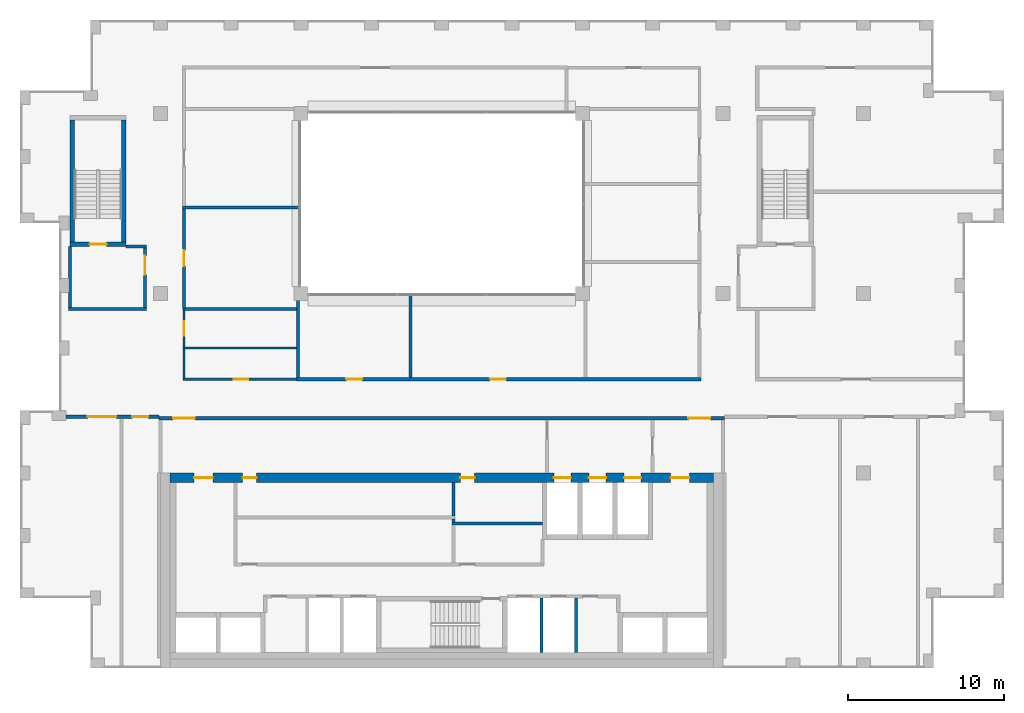
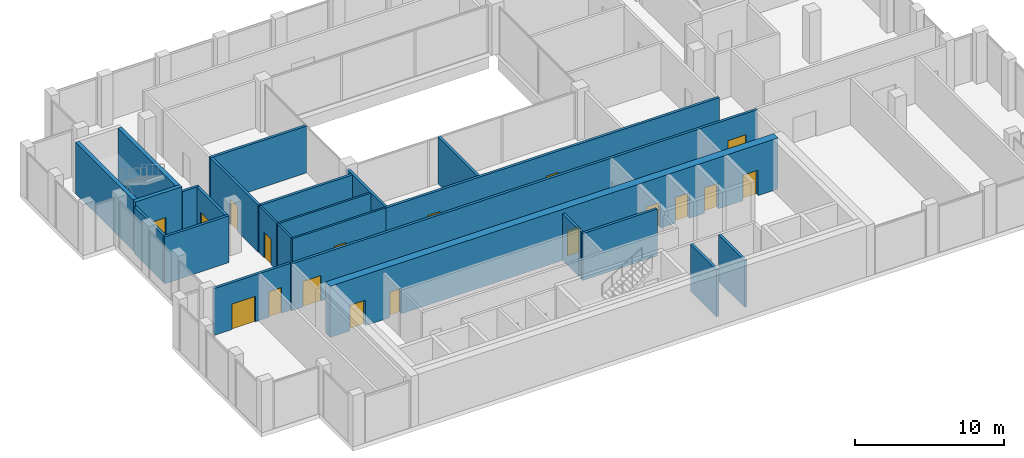
# One storey, part 11 of 15: 25 walls, 18 doors, 18 openings.
"""IFC4 building model written with IfcOpenShell, lengths in metres."""

from ifc_helpers import new_model, si_unit, direction, frame, frame_2d, origin, place, context, subcontext, project, spatial, rectangle, extrude, material, layer, layer_set, type_object, element, fill, save


model = new_model("IFC4")

# Units and contexts
model_context = context("Model", 3, precision=1e-05, world=origin(), true_north=direction((0.0, 1.0)))
body_context = subcontext(model_context, "Body", "Model", "MODEL_VIEW")
ifc_project = project(units=[si_unit("LENGTHUNIT", "METRE"), si_unit("AREAUNIT", "SQUARE_METRE"), si_unit("VOLUMEUNIT", "CUBIC_METRE"), si_unit("PLANEANGLEUNIT", "RADIAN"), si_unit("MASSUNIT", "GRAM", prefix="KILO")], contexts=[model_context])

# Site, building, storey
site_placement = place(None, origin())
site = spatial("IfcSite", under=ifc_project, at=site_placement, CompositionType="ELEMENT")
building_placement = place(site_placement, origin())
building = spatial("IfcBuilding", under=site, at=building_placement, Name="Brigalow Station Residences", CompositionType="ELEMENT")
storey_placement = place(building_placement, frame((0.0, 0.0, 235.800048828125)))
storey = spatial("IfcBuildingStorey", under=building, at=storey_placement, Name="L68", CompositionType="ELEMENT", Elevation=235.800048828125)

# Wall, opening, door
ifc_material_1 = material(Name="Concrete C50", Category="concrete")
ifc_layer_1 = layer(ifc_material_1, 0.300048828125)
ifc_layer_set_1 = layer_set([ifc_layer_1], Name="CORE SHEAR WALL 300 C50")
wall_type_1 = type_object("IfcWallType", Name="CORE SHEAR WALL 300 C50", PredefinedType="SHEAR", material=ifc_layer_set_1)
wall_1_placement = place(storey_placement, frame((12.199951171875, 27.14990234375, 0.0), z_axis=(0.0, 0.0, 1.0), x_axis=(1.0, 0.0, 0.0)))
wall_1 = element("IfcWall", 1, at=wall_1_placement, inside=storey, type_object=wall_type_1, Name="CORE WALL ST-S1-S L68", PredefinedType="SHEAR", context=body_context, shape_type="SweptSolid", body=[
    extrude(rectangle(XDim=3.60009765625, YDim=0.300048828125, at=frame_2d((1.800048828125, 0.0))), origin(), (0.0, 0.0, 1.0), 4.199951171875),
])
opening_1_placement = place(wall_1_placement, frame((1.25, 0.0, 0.0)))
opening_1 = element("IfcOpeningElement", 2, at=opening_1_placement, cuts=wall_1, Name="Opening D-5015", PredefinedType="OPENING", context=body_context, shape_type="SweptSolid", body=[
    extrude(rectangle(XDim=1.10009765625, YDim=2.10009765625, at=frame_2d((0.550048828125, 1.050048828125))), frame((0.0, 0.16015625, 0.0), z_axis=(0.0, -1.0, 0.0), x_axis=(1.0, 0.0, 0.0)), (0.0, 0.0, 1.0), 0.320068359375),
])
ifc_material_2 = material(Name="Steel fire door leaf in steel frame", Category="steel")
door_type_1 = type_object("IfcDoorType", Name="STAIR DOOR 1100 x 2100 FD60S", OperationType="SINGLE_SWING_LEFT", PredefinedType="DOOR", material=ifc_material_2)
door_1_placement = place(opening_1_placement, origin())
door_1 = element("IfcDoor", 3, at=door_1_placement, inside=storey, type_object=door_type_1, Name="D-5015", OperationType="SINGLE_SWING_LEFT", OverallHeight=2.10009765625, OverallWidth=1.10009765625, PredefinedType="DOOR", context=body_context, shape_type="SweptSolid", body=[
    extrude(rectangle(XDim=1.10009765625, YDim=2.10009765625, at=frame_2d((0.550048828125, 1.050048828125))), frame((0.0, 0.02490234375, 0.0), z_axis=(0.0, -1.0, 0.0), x_axis=(1.0, 0.0, 0.0)), (0.0, 0.0, 1.0), 0.050048828125),
])
fill(opening_1, door_1)

# Walls
for number, where, z_axis, x_axis, name in (
    (4, (12.35009765625, 27.300048828125, 0.0), (0.0, 0.0, 1.0), (0.0, 1.0, 0.0), "CORE WALL ST-S1-W L68"),
    (5, (15.64990234375, 27.300048828125, 0.0), (0.0, 0.0, 1.0), (0.0, 1.0, 0.0), "CORE WALL ST-S1-E L68"),
):
    element("IfcWall", number, at=place(storey_placement, frame(where, z_axis=z_axis, x_axis=x_axis)), inside=storey, type_object=wall_type_1, Name=name, PredefinedType="SHEAR", context=body_context, shape_type="SweptSolid", body=[
        extrude(rectangle(XDim=7.800048828125, YDim=0.300048828125, at=frame_2d((3.89990234375, 0.0))), origin(), (0.0, 0.0, 1.0), 4.199951171875),
    ])

# Wall, openings, doors
ifc_material_3 = material(Name="Concrete C50", Category="concrete")
ifc_layer_2 = layer(ifc_material_3, 0.60009765625)
ifc_layer_set_2 = layer_set([ifc_layer_2], Name="CORE SHEAR WALL 600 C50")
wall_type_2 = type_object("IfcWallType", Name="CORE SHEAR WALL 600 C50", PredefinedType="SHEAR", material=ifc_layer_set_2)
wall_2_placement = place(storey_placement, frame((18.60009765625, 12.199951171875, 0.0), z_axis=(0.0, 0.0, 1.0), x_axis=(1.0, 0.0, 0.0)))
wall_2 = element("IfcWall", 6, at=wall_2_placement, inside=storey, type_object=wall_type_2, Name="CORE WALL OUT-N L68", PredefinedType="SHEAR", context=body_context, shape_type="SweptSolid", body=[
    extrude(rectangle(XDim=34.7998046875, YDim=0.60009765625, at=frame_2d((17.39990234375, 0.0))), origin(), (0.0, 0.0, 1.0), 4.199951171875),
])
opening_2_placement = place(wall_2_placement, frame((24.574951171875, 0.0, 0.0)))
opening_2 = element("IfcOpeningElement", 7, at=opening_2_placement, cuts=wall_2, Name="Opening LD-LF1", PredefinedType="OPENING", context=body_context, shape_type="SweptSolid", body=[
    extrude(rectangle(XDim=1.10009765625, YDim=2.10009765625, at=frame_2d((0.550048828125, 1.050048828125))), frame((0.0, 0.31005859375, 0.0), z_axis=(0.0, -1.0, 0.0), x_axis=(1.0, 0.0, 0.0)), (0.0, 0.0, 1.0), 0.6201171875),
])
opening_3_placement = place(wall_2_placement, frame((26.824951171875, 0.0, 0.0)))
opening_3 = element("IfcOpeningElement", 8, at=opening_3_placement, cuts=wall_2, Name="Opening LD-LF2", PredefinedType="OPENING", context=body_context, shape_type="SweptSolid", body=[
    extrude(rectangle(XDim=1.10009765625, YDim=2.10009765625, at=frame_2d((0.550048828125, 1.050048828125))), frame((0.0, 0.31005859375, 0.0), z_axis=(0.0, -1.0, 0.0), x_axis=(1.0, 0.0, 0.0)), (0.0, 0.0, 1.0), 0.6201171875),
])
opening_4_placement = place(wall_2_placement, frame((29.074951171875, 0.0, 0.0)))
opening_4 = element("IfcOpeningElement", 9, at=opening_4_placement, cuts=wall_2, Name="Opening LD-LG1", PredefinedType="OPENING", context=body_context, shape_type="SweptSolid", body=[
    extrude(rectangle(XDim=1.10009765625, YDim=2.10009765625, at=frame_2d((0.550048828125, 1.050048828125))), frame((0.0, 0.31005859375, 0.0), z_axis=(0.0, -1.0, 0.0), x_axis=(1.0, 0.0, 0.0)), (0.0, 0.0, 1.0), 0.6201171875),
])
opening_5_placement = place(wall_2_placement, frame((18.60009765625, 0.0, 0.0)))
opening_5 = element("IfcOpeningElement", 10, at=opening_5_placement, cuts=wall_2, Name="Opening D-5126", PredefinedType="OPENING", context=body_context, shape_type="SweptSolid", body=[
    extrude(rectangle(XDim=0.89990234375, YDim=2.10009765625, at=frame_2d((0.449951171875, 1.050048828125))), frame((0.0, 0.31005859375, 0.0), z_axis=(0.0, -1.0, 0.0), x_axis=(1.0, 0.0, 0.0)), (0.0, 0.0, 1.0), 0.6201171875),
])
opening_6_placement = place(wall_2_placement, frame((4.64990234375, 0.0, 0.0)))
opening_6 = element("IfcOpeningElement", 11, at=opening_6_placement, cuts=wall_2, Name="Opening D-5127", PredefinedType="OPENING", context=body_context, shape_type="SweptSolid", body=[
    extrude(rectangle(XDim=0.89990234375, YDim=2.10009765625, at=frame_2d((0.449951171875, 1.050048828125))), frame((0.0, 0.31005859375, 0.0), z_axis=(0.0, -1.0, 0.0), x_axis=(1.0, 0.0, 0.0)), (0.0, 0.0, 1.0), 0.6201171875),
])
opening_7_placement = place(wall_2_placement, frame((1.550048828125, 0.0, 0.0)))
opening_7 = element("IfcOpeningElement", 12, at=opening_7_placement, cuts=wall_2, Name="Opening D-5011", PredefinedType="OPENING", context=body_context, shape_type="SweptSolid", body=[
    extrude(rectangle(XDim=1.199951171875, YDim=2.10009765625, at=frame_2d((0.60009765625, 1.050048828125))), frame((0.0, 0.31005859375, 0.0), z_axis=(0.0, -1.0, 0.0), x_axis=(1.0, 0.0, 0.0)), (0.0, 0.0, 1.0), 0.6201171875),
])
opening_8_placement = place(wall_2_placement, frame((32.050048828125, 0.0, 0.0)))
opening_8 = element("IfcOpeningElement", 13, at=opening_8_placement, cuts=wall_2, Name="Opening D-5012", PredefinedType="OPENING", context=body_context, shape_type="SweptSolid", body=[
    extrude(rectangle(XDim=1.199951171875, YDim=2.10009765625, at=frame_2d((0.60009765625, 1.050048828125))), frame((0.0, 0.31005859375, 0.0), z_axis=(0.0, -1.0, 0.0), x_axis=(1.0, 0.0, 0.0)), (0.0, 0.0, 1.0), 0.6201171875),
])
ifc_material_4 = material(Name="Steel fire door leaf in steel frame", Category="steel")
door_type_2 = type_object("IfcDoorType", Name="CORE CORRIDOR DOOR 1200 x 2100 FD60S", OperationType="SINGLE_SWING_LEFT", PredefinedType="DOOR", material=ifc_material_4)
door_2_placement = place(opening_7_placement, frame((1.199951171875, 0.0, 0.0), z_axis=(0.0, 0.0, 1.0), x_axis=(-1.0, 0.0, 0.0)))
door_2 = element("IfcDoor", 14, at=door_2_placement, inside=storey, type_object=door_type_2, Name="D-5011", OperationType="SINGLE_SWING_LEFT", OverallHeight=2.10009765625, OverallWidth=1.199951171875, PredefinedType="DOOR", context=body_context, shape_type="SweptSolid", body=[
    extrude(rectangle(XDim=1.199951171875, YDim=2.10009765625, at=frame_2d((0.60009765625, 1.050048828125))), frame((0.0, 0.02490234375, 0.0), z_axis=(0.0, -1.0, 0.0), x_axis=(1.0, 0.0, 0.0)), (0.0, 0.0, 1.0), 0.050048828125),
])
fill(opening_7, door_2)
door_3_placement = place(opening_8_placement, frame((1.199951171875, 0.0, 0.0), z_axis=(0.0, 0.0, 1.0), x_axis=(-1.0, 0.0, 0.0)))
door_3 = element("IfcDoor", 15, at=door_3_placement, inside=storey, type_object=door_type_2, Name="D-5012", OperationType="SINGLE_SWING_RIGHT", OverallHeight=2.10009765625, OverallWidth=1.199951171875, PredefinedType="DOOR", context=body_context, shape_type="SweptSolid", body=[
    extrude(rectangle(XDim=1.199951171875, YDim=2.10009765625, at=frame_2d((0.60009765625, 1.050048828125))), frame((0.0, 0.02490234375, 0.0), z_axis=(0.0, -1.0, 0.0), x_axis=(1.0, 0.0, 0.0)), (0.0, 0.0, 1.0), 0.050048828125),
])
fill(opening_8, door_3)
ifc_material_5 = material(Name="Stainless steel sliding door leaves", Category="steel")
door_type_3 = type_object("IfcDoorType", Name="LIFT LANDING DOOR 1100 x 2100", OperationType="DOUBLE_DOOR_SLIDING", PredefinedType="DOOR", material=ifc_material_5)
door_4_placement = place(opening_2_placement, origin())
door_4 = element("IfcDoor", 16, at=door_4_placement, inside=storey, type_object=door_type_3, Name="LANDING DOOR LF1", OperationType="DOUBLE_DOOR_SLIDING", OverallHeight=2.10009765625, OverallWidth=1.10009765625, PredefinedType="DOOR", context=body_context, shape_type="SweptSolid", body=[
    extrude(rectangle(XDim=1.10009765625, YDim=2.10009765625, at=frame_2d((0.550048828125, 1.050048828125))), frame((0.0, 0.02490234375, 0.0), z_axis=(0.0, -1.0, 0.0), x_axis=(1.0, 0.0, 0.0)), (0.0, 0.0, 1.0), 0.050048828125),
])
fill(opening_2, door_4)
door_5_placement = place(opening_3_placement, origin())
door_5 = element("IfcDoor", 17, at=door_5_placement, inside=storey, type_object=door_type_3, Name="LANDING DOOR LF2", OperationType="DOUBLE_DOOR_SLIDING", OverallHeight=2.10009765625, OverallWidth=1.10009765625, PredefinedType="DOOR", context=body_context, shape_type="SweptSolid", body=[
    extrude(rectangle(XDim=1.10009765625, YDim=2.10009765625, at=frame_2d((0.550048828125, 1.050048828125))), frame((0.0, 0.02490234375, 0.0), z_axis=(0.0, -1.0, 0.0), x_axis=(1.0, 0.0, 0.0)), (0.0, 0.0, 1.0), 0.050048828125),
])
fill(opening_3, door_5)
door_6_placement = place(opening_4_placement, origin())
door_6 = element("IfcDoor", 18, at=door_6_placement, inside=storey, type_object=door_type_3, Name="LANDING DOOR LG1", OperationType="DOUBLE_DOOR_SLIDING", OverallHeight=2.10009765625, OverallWidth=1.10009765625, PredefinedType="DOOR", context=body_context, shape_type="SweptSolid", body=[
    extrude(rectangle(XDim=1.10009765625, YDim=2.10009765625, at=frame_2d((0.550048828125, 1.050048828125))), frame((0.0, 0.02490234375, 0.0), z_axis=(0.0, -1.0, 0.0), x_axis=(1.0, 0.0, 0.0)), (0.0, 0.0, 1.0), 0.050048828125),
])
fill(opening_4, door_6)
ifc_material_6 = material(Name="Steel door leaf in steel frame", Category="steel")
door_type_4 = type_object("IfcDoorType", Name="SERVICE ROOM DOOR 900 x 2100 FD60", OperationType="SINGLE_SWING_LEFT", PredefinedType="DOOR", material=ifc_material_6)
door_7_placement = place(opening_5_placement, frame((0.89990234375, 0.0, 0.0), z_axis=(0.0, 0.0, 1.0), x_axis=(-1.0, 0.0, 0.0)))
door_7 = element("IfcDoor", 19, at=door_7_placement, inside=storey, type_object=door_type_4, Name="D-5126", OperationType="SINGLE_SWING_RIGHT", OverallHeight=2.10009765625, OverallWidth=0.89990234375, PredefinedType="DOOR", context=body_context, shape_type="SweptSolid", body=[
    extrude(rectangle(XDim=0.89990234375, YDim=2.10009765625, at=frame_2d((0.449951171875, 1.050048828125))), frame((0.0, 0.02490234375, 0.0), z_axis=(0.0, -1.0, 0.0), x_axis=(1.0, 0.0, 0.0)), (0.0, 0.0, 1.0), 0.050048828125),
])
fill(opening_5, door_7)
door_8_placement = place(opening_6_placement, frame((0.89990234375, 0.0, 0.0), z_axis=(0.0, 0.0, 1.0), x_axis=(-1.0, 0.0, 0.0)))
door_8 = element("IfcDoor", 20, at=door_8_placement, inside=storey, type_object=door_type_4, Name="D-5127", OperationType="SINGLE_SWING_RIGHT", OverallHeight=2.10009765625, OverallWidth=0.89990234375, PredefinedType="DOOR", context=body_context, shape_type="SweptSolid", body=[
    extrude(rectangle(XDim=0.89990234375, YDim=2.10009765625, at=frame_2d((0.449951171875, 1.050048828125))), frame((0.0, 0.02490234375, 0.0), z_axis=(0.0, -1.0, 0.0), x_axis=(1.0, 0.0, 0.0)), (0.0, 0.0, 1.0), 0.050048828125),
])
fill(opening_6, door_8)

# Walls
ifc_material_7 = material(Name="Concrete blockwork", Category="masonry")
ifc_layer_3 = layer(ifc_material_7, 0.199951171875)
ifc_layer_set_3 = layer_set([ifc_layer_3], Name="FIRE RATED CORE PARTITION 200")
wall_type_3 = type_object("IfcWallType", Name="FIRE RATED CORE PARTITION 200", PredefinedType="PARTITIONING", material=ifc_layer_set_3)
wall_3_placement = place(storey_placement, frame((36.64990234375, 9.27490234375, 0.0), z_axis=(0.0, 0.0, 1.0), x_axis=(1.0, 0.0, 0.0)))
element("IfcWall", 21, at=wall_3_placement, inside=storey, type_object=wall_type_3, Name="PW-5246", PredefinedType="PARTITIONING", context=body_context, shape_type="SweptSolid", body=[
    extrude(rectangle(XDim=5.800048828125, YDim=0.199951171875, at=frame_2d((2.89990234375, 0.0))), origin(), (0.0, 0.0, 1.0), 3.849853515625),
])
wall_4_placement = place(storey_placement, frame((12.10009765625, 23.0, 0.0), z_axis=(0.0, 0.0, 1.0), x_axis=(1.0, 0.0, 0.0)))
element("IfcWall", 22, at=wall_4_placement, inside=storey, type_object=wall_type_3, Name="PW-5023", PredefinedType="PARTITIONING", context=body_context, shape_type="SweptSolid", body=[
    extrude(rectangle(XDim=5.0, YDim=0.199951171875, at=frame_2d((2.5, 0.0))), origin(), (0.0, 0.0, 1.0), 3.849853515625),
])
wall_5_placement = place(storey_placement, frame((15.800048828125, 27.0, 0.0), z_axis=(0.0, 0.0, 1.0), x_axis=(1.0, 0.0, 0.0)))
element("IfcWall", 23, at=wall_5_placement, inside=storey, type_object=wall_type_3, Name="PW-5025", PredefinedType="PARTITIONING", context=body_context, shape_type="SweptSolid", body=[
    extrude(rectangle(XDim=1.300048828125, YDim=0.199951171875, at=frame_2d((0.64990234375, 0.0))), origin(), (0.0, 0.0, 1.0), 3.849853515625),
])
for number, where, z_axis, x_axis, name in (
    (24, (42.39990234375, 1.0, 0.0), (0.0, 0.0, 1.0), (0.0, 1.0, 0.0), "PW-5007"),
    (25, (44.60009765625, 1.0, 0.0), (0.0, 0.0, 1.0), (0.0, 1.0, 0.0), "PW-5008"),
):
    element("IfcWall", number, at=place(storey_placement, frame(where, z_axis=z_axis, x_axis=x_axis)), inside=storey, type_object=wall_type_3, Name=name, PredefinedType="PARTITIONING", context=body_context, shape_type="SweptSolid", body=[
        extrude(rectangle(XDim=3.5, YDim=0.199951171875, at=frame_2d((1.75, 0.0))), origin(), (0.0, 0.0, 1.0), 3.849853515625),
    ])
wall_6_placement = place(storey_placement, frame((36.75, 9.375, 0.0), z_axis=(0.0, 0.0, 1.0), x_axis=(0.0, 1.0, 0.0)))
element("IfcWall", 26, at=wall_6_placement, inside=storey, type_object=wall_type_3, Name="PW-5254", PredefinedType="PARTITIONING", context=body_context, shape_type="SweptSolid", body=[
    extrude(rectangle(XDim=0.175048828125, YDim=0.199951171875, at=frame_2d((0.08740234375, 0.0))), origin(), (0.0, 0.0, 1.0), 3.849853515625),
])
wall_7_placement = place(storey_placement, frame((36.75, 9.75, 0.0), z_axis=(0.0, 0.0, 1.0), x_axis=(0.0, 1.0, 0.0)))
element("IfcWall", 27, at=wall_7_placement, inside=storey, type_object=wall_type_3, Name="PW-5256", PredefinedType="PARTITIONING", context=body_context, shape_type="SweptSolid", body=[
    extrude(rectangle(XDim=2.14990234375, YDim=0.199951171875, at=frame_2d((1.074951171875, 0.0))), origin(), (0.0, 0.0, 1.0), 3.849853515625),
])
wall_8_placement = place(storey_placement, frame((12.199951171875, 23.10009765625, 0.0), z_axis=(0.0, 0.0, 1.0), x_axis=(0.0, 1.0, 0.0)))
element("IfcWall", 28, at=wall_8_placement, inside=storey, type_object=wall_type_3, Name="PW-5034", PredefinedType="PARTITIONING", context=body_context, shape_type="SweptSolid", body=[
    extrude(rectangle(XDim=3.89990234375, YDim=0.199951171875, at=frame_2d((1.949951171875, 0.0))), origin(), (0.0, 0.0, 1.0), 3.849853515625),
])

# Wall, opening, door
wall_9_placement = place(storey_placement, frame((17.0, 23.10009765625, 0.0), z_axis=(0.0, 0.0, 1.0), x_axis=(0.0, 1.0, 0.0)))
wall_9 = element("IfcWall", 29, at=wall_9_placement, inside=storey, type_object=wall_type_3, Name="PW-5035", PredefinedType="PARTITIONING", context=body_context, shape_type="SweptSolid", body=[
    extrude(rectangle(XDim=3.7998046875, YDim=0.199951171875, at=frame_2d((1.89990234375, 0.0))), origin(), (0.0, 0.0, 1.0), 3.849853515625),
])
opening_9_placement = place(wall_9_placement, frame((2.10009765625, 0.0, 0.0)))
opening_9 = element("IfcOpeningElement", 30, at=opening_9_placement, cuts=wall_9, Name="Opening D-5016", PredefinedType="OPENING", context=body_context, shape_type="SweptSolid", body=[
    extrude(rectangle(XDim=1.199951171875, YDim=2.10009765625, at=frame_2d((0.60009765625, 1.050048828125))), frame((0.0, 0.10986328125, 0.0), z_axis=(0.0, -1.0, 0.0), x_axis=(1.0, 0.0, 0.0)), (0.0, 0.0, 1.0), 0.219970703125),
])
ifc_material_8 = material(Name="Steel fire door leaf in steel frame", Category="steel")
door_type_5 = type_object("IfcDoorType", Name="STAIR LOBBY DOOR 1200 x 2100 FD60S", OperationType="SINGLE_SWING_LEFT", PredefinedType="DOOR", material=ifc_material_8)
door_9_placement = place(opening_9_placement, frame((1.199951171875, 0.0, 0.0), z_axis=(0.0, 0.0, 1.0), x_axis=(-1.0, 0.0, 0.0)))
door_9 = element("IfcDoor", 31, at=door_9_placement, inside=storey, type_object=door_type_5, Name="D-5016", OperationType="SINGLE_SWING_RIGHT", OverallHeight=2.10009765625, OverallWidth=1.199951171875, PredefinedType="DOOR", context=body_context, shape_type="SweptSolid", body=[
    extrude(rectangle(XDim=1.199951171875, YDim=2.10009765625, at=frame_2d((0.60009765625, 1.050048828125))), frame((0.0, 0.02490234375, 0.0), z_axis=(0.0, -1.0, 0.0), x_axis=(1.0, 0.0, 0.0)), (0.0, 0.0, 1.0), 0.050048828125),
])
fill(opening_9, door_9)

# Wall, openings, doors
wall_10_placement = place(storey_placement, frame((17.89990234375, 16.0, 0.0), z_axis=(0.0, 0.0, 1.0), x_axis=(1.0, 0.0, 0.0)))
wall_10 = element("IfcWall", 32, at=wall_10_placement, inside=storey, type_object=wall_type_3, Name="PW-5038", PredefinedType="PARTITIONING", context=body_context, shape_type="SweptSolid", body=[
    extrude(rectangle(XDim=36.2001953125, YDim=0.199951171875, at=frame_2d((18.10009765625, 0.0))), origin(), (0.0, 0.0, 1.0), 3.849853515625),
])
opening_10_placement = place(wall_10_placement, frame((0.89990234375, 0.0, 0.0)))
opening_10 = element("IfcOpeningElement", 33, at=opening_10_placement, cuts=wall_10, Name="Opening D-5029", PredefinedType="OPENING", context=body_context, shape_type="SweptSolid", body=[
    extrude(rectangle(XDim=1.39990234375, YDim=2.10009765625, at=frame_2d((0.699951171875, 1.050048828125))), frame((0.0, 0.10986328125, 0.0), z_axis=(0.0, -1.0, 0.0), x_axis=(1.0, 0.0, 0.0)), (0.0, 0.0, 1.0), 0.219970703125),
])
opening_11_placement = place(wall_10_placement, frame((33.89990234375, 0.0, 0.0)))
opening_11 = element("IfcOpeningElement", 34, at=opening_11_placement, cuts=wall_10, Name="Opening D-5030", PredefinedType="OPENING", context=body_context, shape_type="SweptSolid", body=[
    extrude(rectangle(XDim=1.39990234375, YDim=2.10009765625, at=frame_2d((0.699951171875, 1.050048828125))), frame((0.0, 0.10986328125, 0.0), z_axis=(0.0, -1.0, 0.0), x_axis=(1.0, 0.0, 0.0)), (0.0, 0.0, 1.0), 0.219970703125),
])
ifc_material_9 = material(Name="Steel fire door leaves in steel frame", Category="steel")
door_type_6 = type_object("IfcDoorType", Name="CORRIDOR FIRE DOOR 1400 x 2100 FD60S", OperationType="SINGLE_SWING_LEFT", PredefinedType="DOOR", material=ifc_material_9)
door_10_placement = place(opening_10_placement, frame((1.39990234375, 0.0, 0.0), z_axis=(0.0, 0.0, 1.0), x_axis=(-1.0, 0.0, 0.0)))
door_10 = element("IfcDoor", 35, at=door_10_placement, inside=storey, type_object=door_type_6, Name="D-5029", OperationType="SINGLE_SWING_RIGHT", OverallHeight=2.10009765625, OverallWidth=1.39990234375, PredefinedType="DOOR", context=body_context, shape_type="SweptSolid", body=[
    extrude(rectangle(XDim=1.39990234375, YDim=2.10009765625, at=frame_2d((0.699951171875, 1.050048828125))), frame((0.0, 0.02490234375, 0.0), z_axis=(0.0, -1.0, 0.0), x_axis=(1.0, 0.0, 0.0)), (0.0, 0.0, 1.0), 0.050048828125),
])
fill(opening_10, door_10)
door_11_placement = place(opening_11_placement, origin())
door_11 = element("IfcDoor", 36, at=door_11_placement, inside=storey, type_object=door_type_6, Name="D-5030", OperationType="SINGLE_SWING_RIGHT", OverallHeight=2.10009765625, OverallWidth=1.39990234375, PredefinedType="DOOR", context=body_context, shape_type="SweptSolid", body=[
    extrude(rectangle(XDim=1.39990234375, YDim=2.10009765625, at=frame_2d((0.699951171875, 1.050048828125))), frame((0.0, 0.02490234375, 0.0), z_axis=(0.0, -1.0, 0.0), x_axis=(1.0, 0.0, 0.0)), (0.0, 0.0, 1.0), 0.050048828125),
])
fill(opening_11, door_11)

wall_11_placement = place(storey_placement, frame((11.949951171875, 16.10009765625, 0.0), z_axis=(0.0, 0.0, 1.0), x_axis=(1.0, 0.0, 0.0)))
wall_11 = element("IfcWall", 37, at=wall_11_placement, inside=storey, type_object=wall_type_3, Name="PW-5299", PredefinedType="PARTITIONING", context=body_context, shape_type="SweptSolid", body=[
    extrude(rectangle(XDim=5.949951171875, YDim=0.199951171875, at=frame_2d((2.97509765625, 0.0))), origin(), (0.0, 0.0, 1.0), 3.849853515625),
])
opening_12_placement = place(wall_11_placement, frame((1.39990234375, 0.0, 0.0)))
opening_12 = element("IfcOpeningElement", 38, at=opening_12_placement, cuts=wall_11, Name="Opening D-5148", PredefinedType="OPENING", context=body_context, shape_type="SweptSolid", body=[
    extrude(rectangle(XDim=1.800048828125, YDim=2.10009765625, at=frame_2d((0.89990234375, 1.050048828125))), frame((0.0, 0.10986328125, 0.0), z_axis=(0.0, -1.0, 0.0), x_axis=(1.0, 0.0, 0.0)), (0.0, 0.0, 1.0), 0.219970703125),
])
opening_13_placement = place(wall_11_placement, frame((4.25, 0.0, 0.0)))
opening_13 = element("IfcOpeningElement", 39, at=opening_13_placement, cuts=wall_11, Name="Opening D-5149", PredefinedType="OPENING", context=body_context, shape_type="SweptSolid", body=[
    extrude(rectangle(XDim=1.0, YDim=2.10009765625, at=frame_2d((0.5, 1.050048828125))), frame((0.0, 0.10986328125, 0.0), z_axis=(0.0, -1.0, 0.0), x_axis=(1.0, 0.0, 0.0)), (0.0, 0.0, 1.0), 0.219970703125),
])
ifc_material_10 = material(Name="Steel fire door leaf in steel frame", Category="steel")
door_type_7 = type_object("IfcDoorType", Name="PLANT ROOM DOOR 1000 x 2100 FD60", OperationType="SINGLE_SWING_LEFT", PredefinedType="DOOR", material=ifc_material_10)
door_12_placement = place(opening_13_placement, frame((1.0, 0.0, 0.0), z_axis=(0.0, 0.0, 1.0), x_axis=(-1.0, 0.0, 0.0)))
door_12 = element("IfcDoor", 40, at=door_12_placement, inside=storey, type_object=door_type_7, Name="D-5149", OperationType="SINGLE_SWING_RIGHT", OverallHeight=2.10009765625, OverallWidth=1.0, PredefinedType="DOOR", context=body_context, shape_type="SweptSolid", body=[
    extrude(rectangle(XDim=1.0, YDim=2.10009765625, at=frame_2d((0.5, 1.050048828125))), frame((0.0, 0.02490234375, 0.0), z_axis=(0.0, -1.0, 0.0), x_axis=(1.0, 0.0, 0.0)), (0.0, 0.0, 1.0), 0.050048828125),
])
fill(opening_13, door_12)
ifc_material_11 = material(Name="Steel fire door leaf in steel frame", Category="steel")
door_type_8 = type_object("IfcDoorType", Name="PLANT ROOM DOOR 1800 x 2100 FD60", OperationType="DOUBLE_DOOR_SINGLE_SWING", PredefinedType="DOOR", material=ifc_material_11)
door_13_placement = place(opening_12_placement, frame((1.800048828125, 0.0, 0.0), z_axis=(0.0, 0.0, 1.0), x_axis=(-1.0, 0.0, 0.0)))
door_13 = element("IfcDoor", 41, at=door_13_placement, inside=storey, type_object=door_type_8, Name="D-5148", OperationType="DOUBLE_DOOR_SINGLE_SWING", OverallHeight=2.10009765625, OverallWidth=1.800048828125, PredefinedType="DOOR", context=body_context, shape_type="SweptSolid", body=[
    extrude(rectangle(XDim=1.800048828125, YDim=2.10009765625, at=frame_2d((0.89990234375, 1.050048828125))), frame((0.0, 0.02490234375, 0.0), z_axis=(0.0, -1.0, 0.0), x_axis=(1.0, 0.0, 0.0)), (0.0, 0.0, 1.0), 0.050048828125),
])
fill(opening_12, door_13)

wall_12_placement = place(storey_placement, frame((26.699951171875, 18.5, 0.0), z_axis=(0.0, 0.0, 1.0), x_axis=(1.0, 0.0, 0.0)))
wall_12 = element("IfcWall", 42, at=wall_12_placement, inside=storey, type_object=wall_type_3, Name="PW-5301", PredefinedType="PARTITIONING", context=body_context, shape_type="SweptSolid", body=[
    extrude(rectangle(XDim=25.900146484375, YDim=0.199951171875, at=frame_2d((12.9501953125, 0.0))), origin(), (0.0, 0.0, 1.0), 3.849853515625),
])
opening_14_placement = place(wall_12_placement, frame((3.199951171875, 0.0, 0.0)))
opening_14 = element("IfcOpeningElement", 43, at=opening_14_placement, cuts=wall_12, Name="Opening D-5141", PredefinedType="OPENING", context=body_context, shape_type="SweptSolid", body=[
    extrude(rectangle(XDim=1.0, YDim=2.10009765625, at=frame_2d((0.5, 1.050048828125))), frame((0.0, 0.10986328125, 0.0), z_axis=(0.0, -1.0, 0.0), x_axis=(1.0, 0.0, 0.0)), (0.0, 0.0, 1.0), 0.219970703125),
])
opening_15_placement = place(wall_12_placement, frame((12.39990234375, 0.0, 0.0)))
opening_15 = element("IfcOpeningElement", 44, at=opening_15_placement, cuts=wall_12, Name="Opening D-5160", PredefinedType="OPENING", context=body_context, shape_type="SweptSolid", body=[
    extrude(rectangle(XDim=1.0, YDim=2.10009765625, at=frame_2d((0.5, 1.050048828125))), frame((0.0, 0.10986328125, 0.0), z_axis=(0.0, -1.0, 0.0), x_axis=(1.0, 0.0, 0.0)), (0.0, 0.0, 1.0), 0.219970703125),
])
door_14_placement = place(opening_14_placement, origin())
door_14 = element("IfcDoor", 45, at=door_14_placement, inside=storey, type_object=door_type_7, Name="D-5141", OperationType="SINGLE_SWING_LEFT", OverallHeight=2.10009765625, OverallWidth=1.0, PredefinedType="DOOR", context=body_context, shape_type="SweptSolid", body=[
    extrude(rectangle(XDim=1.0, YDim=2.10009765625, at=frame_2d((0.5, 1.050048828125))), frame((0.0, 0.02490234375, 0.0), z_axis=(0.0, -1.0, 0.0), x_axis=(1.0, 0.0, 0.0)), (0.0, 0.0, 1.0), 0.050048828125),
])
fill(opening_14, door_14)
door_15_placement = place(opening_15_placement, origin())
door_15 = element("IfcDoor", 46, at=door_15_placement, inside=storey, type_object=door_type_7, Name="D-5160", OperationType="SINGLE_SWING_RIGHT", OverallHeight=2.10009765625, OverallWidth=1.0, PredefinedType="DOOR", context=body_context, shape_type="SweptSolid", body=[
    extrude(rectangle(XDim=1.0, YDim=2.10009765625, at=frame_2d((0.5, 1.050048828125))), frame((0.0, 0.02490234375, 0.0), z_axis=(0.0, -1.0, 0.0), x_axis=(1.0, 0.0, 0.0)), (0.0, 0.0, 1.0), 0.050048828125),
])
fill(opening_15, door_15)

# Walls
wall_13_placement = place(storey_placement, frame((19.425048828125, 23.0, 0.0), z_axis=(0.0, 0.0, 1.0), x_axis=(1.0, 0.0, 0.0)))
element("IfcWall", 47, at=wall_13_placement, inside=storey, type_object=wall_type_3, Name="PW-5305", PredefinedType="PARTITIONING", context=body_context, shape_type="SweptSolid", body=[
    extrude(rectangle(XDim=7.474853515625, YDim=0.199951171875, at=frame_2d((3.7373046875, 0.0))), origin(), (0.0, 0.0, 1.0), 3.849853515625),
])
wall_14_placement = place(storey_placement, frame((19.39990234375, 29.5, 0.0), z_axis=(0.0, 0.0, 1.0), x_axis=(1.0, 0.0, 0.0)))
element("IfcWall", 48, at=wall_14_placement, inside=storey, type_object=wall_type_3, Name="PW-5307", PredefinedType="PARTITIONING", context=body_context, shape_type="SweptSolid", body=[
    extrude(rectangle(XDim=7.504150390625, YDim=0.199951171875, at=frame_2d((3.751953125, 0.0))), origin(), (0.0, 0.0, 1.0), 3.849853515625),
])
wall_15_placement = place(storey_placement, frame((26.800048828125, 18.60009765625, 0.0), z_axis=(0.0, 0.0, 1.0), x_axis=(0.0, 1.0, 0.0)))
element("IfcWall", 49, at=wall_15_placement, inside=storey, type_object=wall_type_3, Name="PW-5090", PredefinedType="PARTITIONING", context=body_context, shape_type="SweptSolid", body=[
    extrude(rectangle(XDim=5.099853515625, YDim=0.199951171875, at=frame_2d((2.5498046875, 0.0))), origin(), (0.0, 0.0, 1.0), 3.849853515625),
])
wall_16_placement = place(storey_placement, frame((34.0, 18.60009765625, 0.0), z_axis=(0.0, 0.0, 1.0), x_axis=(0.0, 1.0, 0.0)))
element("IfcWall", 50, at=wall_16_placement, inside=storey, type_object=wall_type_3, Name="PW-5285", PredefinedType="PARTITIONING", context=body_context, shape_type="SweptSolid", body=[
    extrude(rectangle(XDim=5.303955078125, YDim=0.199951171875, at=frame_2d((2.65185546875, 0.0))), origin(), (0.0, 0.0, 1.0), 3.849853515625),
])

# Wall, opening, door
wall_17_placement = place(storey_placement, frame((19.5, 23.0, 0.0), z_axis=(0.0, 0.0, 1.0), x_axis=(0.0, 1.0, 0.0)))
wall_17 = element("IfcWall", 51, at=wall_17_placement, inside=storey, type_object=wall_type_3, Name="PW-5325", PredefinedType="PARTITIONING", context=body_context, shape_type="SweptSolid", body=[
    extrude(rectangle(XDim=6.39990234375, YDim=0.199951171875, at=frame_2d((3.199951171875, 0.0))), origin(), (0.0, 0.0, 1.0), 3.849853515625),
])
opening_16_placement = place(wall_17_placement, frame((2.75, 0.0, 0.0)))
opening_16 = element("IfcOpeningElement", 52, at=opening_16_placement, cuts=wall_17, Name="Opening D-5155", PredefinedType="OPENING", context=body_context, shape_type="SweptSolid", body=[
    extrude(rectangle(XDim=1.0, YDim=2.10009765625, at=frame_2d((0.5, 1.050048828125))), frame((0.0, 0.10986328125, 0.0), z_axis=(0.0, -1.0, 0.0), x_axis=(1.0, 0.0, 0.0)), (0.0, 0.0, 1.0), 0.219970703125),
])
door_16_placement = place(opening_16_placement, origin())
door_16 = element("IfcDoor", 53, at=door_16_placement, inside=storey, type_object=door_type_7, Name="D-5155", OperationType="SINGLE_SWING_LEFT", OverallHeight=2.10009765625, OverallWidth=1.0, PredefinedType="DOOR", context=body_context, shape_type="SweptSolid", body=[
    extrude(rectangle(XDim=1.0, YDim=2.10009765625, at=frame_2d((0.5, 1.050048828125))), frame((0.0, 0.02490234375, 0.0), z_axis=(0.0, -1.0, 0.0), x_axis=(1.0, 0.0, 0.0)), (0.0, 0.0, 1.0), 0.050048828125),
])
fill(opening_16, door_16)

ifc_material_12 = material(Name="Plasterboard on steel studs", Category="steel")
ifc_layer_4 = layer(ifc_material_12, 0.14990234375)
ifc_layer_set_4 = layer_set([ifc_layer_4], Name="SERVICE ROOM PARTITION 150")
wall_type_4 = type_object("IfcWallType", Name="SERVICE ROOM PARTITION 150", PredefinedType="PARTITIONING", material=ifc_layer_set_4)
wall_18_placement = place(storey_placement, frame((19.425048828125, 18.5, 0.0), z_axis=(0.0, 0.0, 1.0), x_axis=(1.0, 0.0, 0.0)))
wall_18 = element("IfcWall", 54, at=wall_18_placement, inside=storey, type_object=wall_type_4, Name="PW-5303", PredefinedType="PARTITIONING", context=body_context, shape_type="SweptSolid", body=[
    extrude(rectangle(XDim=7.27490234375, YDim=0.14990234375, at=frame_2d((3.637451171875, 0.0))), origin(), (0.0, 0.0, 1.0), 3.849853515625),
])
opening_17_placement = place(wall_18_placement, frame((3.27490234375, 0.0, 0.0)))
opening_17 = element("IfcOpeningElement", 55, at=opening_17_placement, cuts=wall_18, Name="Opening D-5153", PredefinedType="OPENING", context=body_context, shape_type="SweptSolid", body=[
    extrude(rectangle(XDim=0.89990234375, YDim=2.10009765625, at=frame_2d((0.449951171875, 1.050048828125))), frame((0.0, 0.0849609375, 0.0), z_axis=(0.0, -1.0, 0.0), x_axis=(1.0, 0.0, 0.0)), (0.0, 0.0, 1.0), 0.169921875),
])
ifc_material_13 = material(Name="Timber door leaf in steel frame", Category="steel")
door_type_9 = type_object("IfcDoorType", Name="WC DOOR 900 x 2100 FD60", OperationType="SINGLE_SWING_LEFT", PredefinedType="DOOR", material=ifc_material_13)
door_17_placement = place(opening_17_placement, origin())
door_17 = element("IfcDoor", 56, at=door_17_placement, inside=storey, type_object=door_type_9, Name="D-5153", OperationType="SINGLE_SWING_RIGHT", OverallHeight=2.10009765625, OverallWidth=0.89990234375, PredefinedType="DOOR", context=body_context, shape_type="SweptSolid", body=[
    extrude(rectangle(XDim=0.89990234375, YDim=2.10009765625, at=frame_2d((0.449951171875, 1.050048828125))), frame((0.0, 0.02490234375, 0.0), z_axis=(0.0, -1.0, 0.0), x_axis=(1.0, 0.0, 0.0)), (0.0, 0.0, 1.0), 0.050048828125),
])
fill(opening_17, door_17)

# Walls
wall_19_placement = place(storey_placement, frame((19.425048828125, 20.5, 0.0), z_axis=(0.0, 0.0, 1.0), x_axis=(1.0, 0.0, 0.0)))
element("IfcWall", 57, at=wall_19_placement, inside=storey, type_object=wall_type_4, Name="PW-5304", PredefinedType="PARTITIONING", context=body_context, shape_type="SweptSolid", body=[
    extrude(rectangle(XDim=7.474853515625, YDim=0.14990234375, at=frame_2d((3.7373046875, 0.0))), origin(), (0.0, 0.0, 1.0), 3.849853515625),
])
wall_20_placement = place(storey_placement, frame((19.5, 18.574951171875, 0.0), z_axis=(0.0, 0.0, 1.0), x_axis=(0.0, 1.0, 0.0)))
element("IfcWall", 58, at=wall_20_placement, inside=storey, type_object=wall_type_4, Name="PW-5321", PredefinedType="PARTITIONING", context=body_context, shape_type="SweptSolid", body=[
    extrude(rectangle(XDim=1.85009765625, YDim=0.14990234375, at=frame_2d((0.925048828125, 0.0))), origin(), (0.0, 0.0, 1.0), 3.849853515625),
])

# Wall, opening, door
wall_21_placement = place(storey_placement, frame((19.5, 20.574951171875, 0.0), z_axis=(0.0, 0.0, 1.0), x_axis=(0.0, 1.0, 0.0)))
wall_21 = element("IfcWall", 59, at=wall_21_placement, inside=storey, type_object=wall_type_4, Name="PW-5324", PredefinedType="PARTITIONING", context=body_context, shape_type="SweptSolid", body=[
    extrude(rectangle(XDim=2.324951171875, YDim=0.14990234375, at=frame_2d((1.16259765625, 0.0))), origin(), (0.0, 0.0, 1.0), 3.849853515625),
])
opening_18_placement = place(wall_21_placement, frame((0.72509765625, 0.0, 0.0)))
opening_18 = element("IfcOpeningElement", 60, at=opening_18_placement, cuts=wall_21, Name="Opening D-5154", PredefinedType="OPENING", context=body_context, shape_type="SweptSolid", body=[
    extrude(rectangle(XDim=0.89990234375, YDim=2.10009765625, at=frame_2d((0.449951171875, 1.050048828125))), frame((0.0, 0.0849609375, 0.0), z_axis=(0.0, -1.0, 0.0), x_axis=(1.0, 0.0, 0.0)), (0.0, 0.0, 1.0), 0.169921875),
])
door_18_placement = place(opening_18_placement, frame((0.89990234375, 0.0, 0.0), z_axis=(0.0, 0.0, 1.0), x_axis=(-1.0, 0.0, 0.0)))
door_18 = element("IfcDoor", 61, at=door_18_placement, inside=storey, type_object=door_type_9, Name="D-5154", OperationType="SINGLE_SWING_LEFT", OverallHeight=2.10009765625, OverallWidth=0.89990234375, PredefinedType="DOOR", context=body_context, shape_type="SweptSolid", body=[
    extrude(rectangle(XDim=0.89990234375, YDim=2.10009765625, at=frame_2d((0.449951171875, 1.050048828125))), frame((0.0, 0.02490234375, 0.0), z_axis=(0.0, -1.0, 0.0), x_axis=(1.0, 0.0, 0.0)), (0.0, 0.0, 1.0), 0.050048828125),
])
fill(opening_18, door_18)

save(model, "model.ifc")
